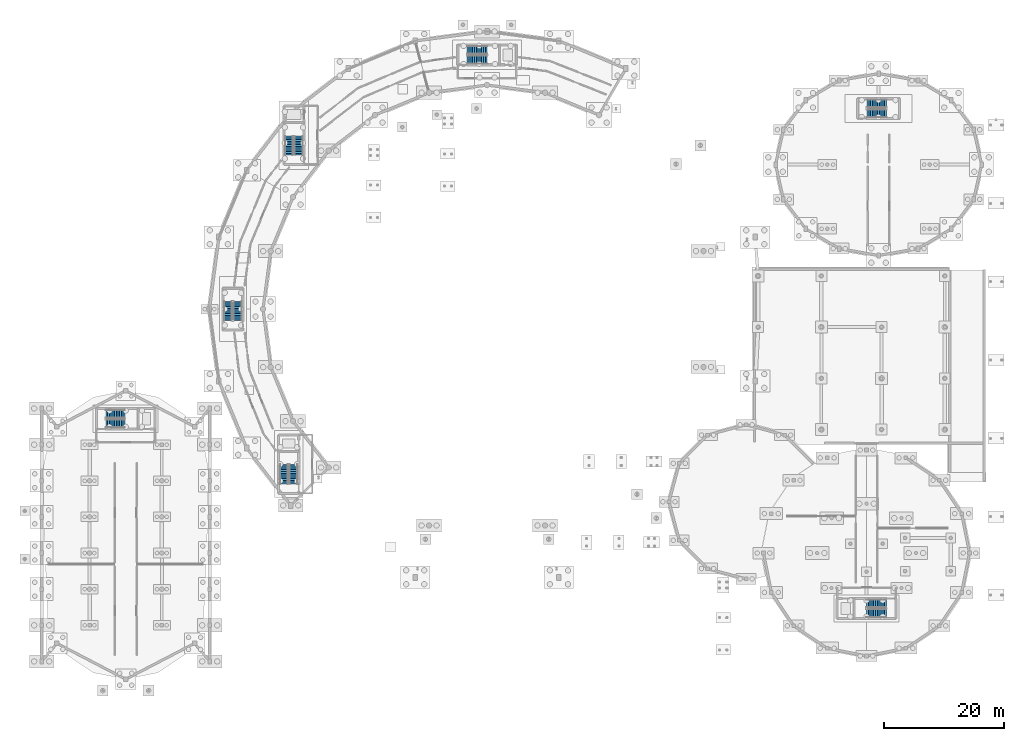
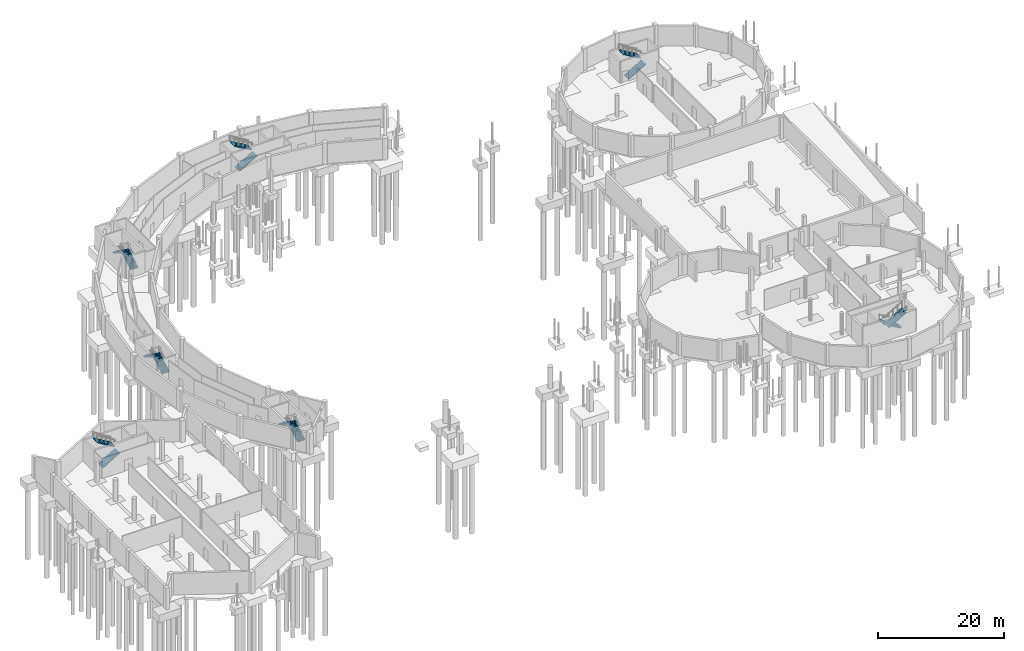
# One storey, part 37 of 43: 14 stair flights, 7 elements without a shape of their own.
"""IFC4 building model written with IfcOpenShell, lengths in metres."""

import ifcopenshell
import ifcopenshell.guid

model = None  # the IFC model being written
_history = None  # IfcOwnerHistory: only IFC2X3 demands one
_inside = {}  # id of a spatial element -> (the spatial element, [elements in it])
_under = {}  # id of a project, library or spatial element -> (it, [spatial elements below it])
_declared = {}  # id of a project -> (the project, [libraries it declares])
_typed = {}  # id of a type object -> (the type object, [elements of that type])
_made_of = {}  # id of a material, layer set ... -> (it, [elements and type objects made of it])


def new_model(schema):
    """Start an empty IFC model of exactly this schema.

    Asked for "IFC4X3", IfcOpenShell would pick the latest addendum, in which some entities
    have other attributes; the version numbers below select the first issue.
    IFC2X3 requires an IfcOwnerHistory on every rooted entity: one is made here for all.
    """
    global model, _history
    if schema == "IFC4X3":
        model = ifcopenshell.file(schema_version=(4, 3, 0, 0))
    else:
        model = ifcopenshell.file(schema=schema)
    _inside.clear()
    _under.clear()
    _declared.clear()
    _typed.clear()
    _made_of.clear()
    _history = None
    if model.schema == "IFC2X3":
        org = make("IfcOrganization", Name="unknown")
        user = make(
            "IfcPersonAndOrganization",
            ThePerson=make("IfcPerson", FamilyName="unknown"),
            TheOrganization=org,
        )
        app = make(
            "IfcApplication",
            ApplicationDeveloper=org,
            Version="unknown",
            ApplicationFullName="unknown",
            ApplicationIdentifier="unknown",
        )
        _history = make(
            "IfcOwnerHistory",
            OwningUser=user,
            OwningApplication=app,
            ChangeAction="ADDED",
            CreationDate=0,
        )
    return model


def make(cls, **values):
    """One entity of the class cls with the attributes given. An attribute that is None is left unset."""
    return model.create_entity(
        cls, **{name: value for name, value in values.items() if value is not None}
    )


def rooted(cls, **values):
    """An entity with a GlobalId (a new one), such as an element, a storey or a relation."""
    return make(cls, GlobalId=ifcopenshell.guid.new(), OwnerHistory=_history, **values)


def si_unit(unit_type, name, prefix=None):
    """IfcSIUnit, for example si_unit("LENGTHUNIT", "METRE", prefix="MILLI")."""
    return make("IfcSIUnit", UnitType=unit_type, Prefix=prefix, Name=name)


def assignment(units):
    """IfcUnitAssignment: the units of a project."""
    return None if units is None else make("IfcUnitAssignment", Units=units)


def point(xyz):
    """IfcCartesianPoint."""
    return None if xyz is None else make("IfcCartesianPoint", Coordinates=xyz)


def direction(xyz):
    """IfcDirection."""
    return None if xyz is None else make("IfcDirection", DirectionRatios=xyz)


def frame(location, z_axis=None, x_axis=None):
    """IfcAxis2Placement3D, a coordinate frame: its origin and axes. An axis left out is left unset."""
    return make(
        "IfcAxis2Placement3D",
        Location=point(location),
        Axis=direction(z_axis),
        RefDirection=direction(x_axis),
    )


def origin():
    """The frame at (0, 0, 0) with its axes left unset."""
    return frame((0.0, 0.0, 0.0))


def place(relative_to, where):
    """IfcLocalPlacement: puts the frame where relative to a parent placement (None: the world)."""
    return make(
        "IfcLocalPlacement", PlacementRelTo=relative_to, RelativePlacement=where
    )


def context(
    kind, dimensions, precision=None, world=None, true_north=None, identifier=None
):
    """IfcGeometricRepresentationContext, for example the 3D "Model" context."""
    return make(
        "IfcGeometricRepresentationContext",
        ContextIdentifier=identifier,
        ContextType=kind,
        CoordinateSpaceDimension=dimensions,
        Precision=precision,
        WorldCoordinateSystem=world,
        TrueNorth=true_north,
    )


def subcontext(parent, identifier, kind, view, scale=None):
    """IfcGeometricRepresentationSubContext, for example "Body" below "Model"."""
    return make(
        "IfcGeometricRepresentationSubContext",
        ContextIdentifier=identifier,
        ContextType=kind,
        ParentContext=parent,
        TargetScale=scale,
        TargetView=view,
    )


def project(units=None, contexts=None):
    """IfcProject with its units and contexts."""
    return rooted(
        "IfcProject",
        Name="project",
        RepresentationContexts=contexts,
        UnitsInContext=assignment(units),
    )


def spatial(cls, under=None, at=None, **own):
    """A site, building, storey or space (cls), placed at a placement, below another one or the project."""
    s = rooted(cls, ObjectPlacement=at, **own)
    if under is not None:
        _under.setdefault(under.id(), (under, []))[1].append(s)
    return s


def polyline(points):
    """IfcPolyline through the points."""
    return make("IfcPolyline", Points=[point(p) for p in points])


def outline(outer, holes=None, kind="AREA"):
    """IfcArbitraryClosedProfileDef: a profile drawn as a closed curve; with holes, ...WithVoids."""
    if holes is None:
        return make("IfcArbitraryClosedProfileDef", ProfileType=kind, OuterCurve=outer)
    return make(
        "IfcArbitraryProfileDefWithVoids",
        ProfileType=kind,
        OuterCurve=outer,
        InnerCurves=holes,
    )


def extrude(swept, where, along, depth):
    """IfcExtrudedAreaSolid: the profile swept, set in the frame where, extruded along a direction by depth."""
    return make(
        "IfcExtrudedAreaSolid",
        SweptArea=swept,
        Position=where,
        ExtrudedDirection=direction(along),
        Depth=depth,
    )


def shape(context_of_items, identifier, shape_type, items):
    """IfcShapeRepresentation: the items that make up one representation, for example the "Body"."""
    return make(
        "IfcShapeRepresentation",
        ContextOfItems=context_of_items,
        RepresentationIdentifier=identifier,
        RepresentationType=shape_type,
        Items=items,
    )


def material(Name=None, Category=None):
    """IfcMaterial."""
    return make("IfcMaterial", Name=Name, Category=Category)


def made_of(thing, what):
    """Note that an element or type object is made of a material, layer set ...; save() writes the relation."""
    if what is not None:
        _made_of.setdefault(what.id(), (what, []))[1].append(thing)
    return thing


def type_object(cls, material=None, **own):
    """A type object (cls), such as IfcWallType, which elements share."""
    return made_of(rooted(cls, **own), material)


def element(
    cls,
    number,
    at=None,
    inside=None,
    cuts=None,
    type_object=None,
    material=None,
    context=None,
    identifier="Body",
    shape_type=None,
    held_by="IfcProductDefinitionShape",
    body=None,
    shapes=None,
    **own,
):
    """One element of the class cls, such as IfcWall. Its Tag is "e" and its number.

    at: its placement. inside: the storey or other place that contains it. cuts: it is an
    opening in that element (IfcRelVoidsElement). A single representation is given by context,
    identifier, shape_type and body (its items); several are given by shapes. held_by: the class
    of the entity that holds the representations. save() writes the other relations.
    """
    e = rooted(cls, Tag="e%d" % number, ObjectPlacement=at, **own)
    if body is not None:
        shapes = [shape(context, identifier, shape_type, body)]
    if shapes is not None:
        e.Representation = make(held_by, Representations=shapes)
    if inside is not None:
        _inside.setdefault(inside.id(), (inside, []))[1].append(e)
    if cuts is not None:
        rooted(
            "IfcRelVoidsElement", RelatingBuildingElement=cuts, RelatedOpeningElement=e
        )
    if type_object is not None:
        _typed.setdefault(type_object.id(), (type_object, []))[1].append(e)
    return made_of(e, material)


def aggregate(whole, parts):
    """IfcRelAggregates: a whole, such as a stair, and the parts it consists of."""
    return rooted("IfcRelAggregates", RelatingObject=whole, RelatedObjects=parts)


def save(model, path):
    """Write the relations noted so far, then the file.

    IfcRelAggregates (storeys below a building ...), IfcRelContainedInSpatialStructure (elements
    in a storey), IfcRelDefinesByType, IfcRelAssociatesMaterial and IfcRelDeclares: one each for
    every whole, place, type object, material and project.
    """
    for whole, parts in _under.values():
        aggregate(whole, parts)
    for where, things in _inside.values():
        rooted(
            "IfcRelContainedInSpatialStructure",
            RelatedElements=things,
            RelatingStructure=where,
        )
    for kind, things in _typed.values():
        rooted("IfcRelDefinesByType", RelatedObjects=things, RelatingType=kind)
    for what, things in _made_of.values():
        rooted("IfcRelAssociatesMaterial", RelatedObjects=things, RelatingMaterial=what)
    for by, libraries in _declared.values():
        rooted("IfcRelDeclares", RelatingContext=by, RelatedDefinitions=libraries)
    model.write(path)


model = new_model("IFC4")

# Units and contexts
model_context = context("Model", 3, precision=1e-05, world=origin(), true_north=direction((0.0, 1.0)))
body_context = subcontext(model_context, "Body", "Model", "MODEL_VIEW")
ifc_project = project(units=[si_unit("LENGTHUNIT", "METRE"), si_unit("AREAUNIT", "SQUARE_METRE"), si_unit("VOLUMEUNIT", "CUBIC_METRE"), si_unit("PLANEANGLEUNIT", "RADIAN"), si_unit("MASSUNIT", "GRAM", prefix="KILO")], contexts=[model_context])

# Site, building, storey
site_placement = place(None, origin())
site = spatial("IfcSite", under=ifc_project, at=site_placement, CompositionType="ELEMENT")
building_placement = place(site_placement, origin())
building = spatial("IfcBuilding", under=site, at=building_placement, Name="Vespera Passage Community Centre", CompositionType="ELEMENT")
storey_placement = place(building_placement, frame((0.0, 0.0, -4.199951171875)))
storey = spatial("IfcBuildingStorey", under=building, at=storey_placement, Name="B1", CompositionType="ELEMENT", Elevation=-4.199951171875)

# Stair, stair flights
ifc_material_1 = material(Name="Concrete f'c 35 MPa", Category="concrete")
stair_type_1 = type_object("IfcStairType", Name="ST-T01", PredefinedType="HALF_TURN_STAIR", material=ifc_material_1)
stair_1_placement = place(storey_placement, origin())
stair_1 = element("IfcStair", 1, at=stair_1_placement, inside=storey, type_object=stair_type_1, Name="B1 Core C1 Exit Stair ST03", PredefinedType="HALF_TURN_STAIR")
ifc_material_2 = material(Name="Concrete f'c 35 MPa", Category="concrete")
stair_flight_type_1 = type_object("IfcStairFlightType", Name="STF-T01", PredefinedType="STRAIGHT", material=ifc_material_2)
stair_flight_1_placement = place(storey_placement, frame((46.73291015625, 91.077880859375, 0.0), z_axis=(0.0, 0.0, 1.0), x_axis=(0.0, 1.0, 0.0)))
stair_flight_1 = element("IfcStairFlight", 2, at=stair_flight_1_placement, type_object=stair_flight_type_1, Name="ST03 flight 1", NumberOfRisers=12, NumberOfTreads=11, PredefinedType="STRAIGHT", RiserHeight=0.175, TreadLength=0.285, context=body_context, shape_type="SweptSolid", body=[
    extrude(outline(polyline([(0.0, 0.0), (0.0, 0.175048828125), (0.284912109375, 0.175048828125), (0.284912109375, 0.35009765625), (0.570068359375, 0.35009765625), (0.570068359375, 0.52490234375), (0.85498046875, 0.52490234375), (0.85498046875, 0.699951171875), (1.139892578125, 0.699951171875), (1.139892578125, 0.875), (1.425048828125, 0.875), (1.425048828125, 1.050048828125), (1.7099609375, 1.050048828125), (1.7099609375, 1.22509765625), (1.9951171875, 1.22509765625), (1.9951171875, 1.39990234375), (2.280029296875, 1.39990234375), (2.280029296875, 1.574951171875), (2.56494140625, 1.574951171875), (2.56494140625, 1.75), (2.85009765625, 1.75), (2.85009765625, 1.925048828125), (3.135009765625, 1.925048828125), (3.135009765625, 2.10009765625), (3.135009765625, 1.7490234375), (0.286376953125, 0.0), (0.0, 0.0)])), frame((0.0, 0.699951171875, 0.0), z_axis=(0.0, -1.0, 0.0), x_axis=(1.0, 0.0, 0.0)), (0.0, 0.0, 1.0), 1.39990234375),
])
stair_flight_2_placement = place(storey_placement, frame((45.133056640625, 94.212890625, 2.099853515625), z_axis=(0.0, 0.0, 1.0), x_axis=(0.0, -1.0, 0.0)))
stair_flight_2 = element("IfcStairFlight", 3, at=stair_flight_2_placement, type_object=stair_flight_type_1, Name="ST03 flight 2", NumberOfRisers=12, NumberOfTreads=11, PredefinedType="STRAIGHT", RiserHeight=0.175, TreadLength=0.285, context=body_context, shape_type="SweptSolid", body=[
    extrude(outline(polyline([(0.0, 0.0), (0.0, 0.175048828125), (0.284912109375, 0.175048828125), (0.284912109375, 0.35009765625), (0.570068359375, 0.35009765625), (0.570068359375, 0.52490234375), (0.85498046875, 0.52490234375), (0.85498046875, 0.699951171875), (1.139892578125, 0.699951171875), (1.139892578125, 0.875), (1.425048828125, 0.875), (1.425048828125, 1.050048828125), (1.7099609375, 1.050048828125), (1.7099609375, 1.22509765625), (1.9951171875, 1.22509765625), (1.9951171875, 1.39990234375), (2.280029296875, 1.39990234375), (2.280029296875, 1.574951171875), (2.56494140625, 1.574951171875), (2.56494140625, 1.75), (2.85009765625, 1.75), (2.85009765625, 1.925048828125), (3.135009765625, 1.925048828125), (3.135009765625, 2.10009765625), (3.135009765625, 1.7490234375), (0.286376953125, 0.0), (0.0, 0.0)])), frame((0.0, 0.699951171875, 0.0), z_axis=(0.0, -1.0, 0.0), x_axis=(1.0, 0.0, 0.0)), (0.0, 0.0, 1.0), 1.39990234375),
])
aggregate(stair_1, [stair_flight_1, stair_flight_2])

ifc_material_3 = material(Name="Concrete f'c 35 MPa", Category="concrete")
stair_type_2 = type_object("IfcStairType", Name="ST-T04", PredefinedType="HALF_TURN_STAIR", material=ifc_material_3)
stair_2_placement = place(storey_placement, origin())
stair_2 = element("IfcStair", 4, at=stair_2_placement, inside=storey, type_object=stair_type_2, Name="B1 Core C2 Exit Stair ST04", PredefinedType="HALF_TURN_STAIR")
ifc_material_4 = material(Name="Concrete f'c 35 MPa", Category="concrete")
stair_flight_type_2 = type_object("IfcStairFlightType", Name="STF-T04", PredefinedType="STRAIGHT", material=ifc_material_4)
stair_flight_3_placement = place(storey_placement, frame((36.60009765625, 63.574951171875, 0.0), z_axis=(0.0, 0.0, 1.0), x_axis=(0.0, 1.0, 0.0)))
stair_flight_3 = element("IfcStairFlight", 5, at=stair_flight_3_placement, type_object=stair_flight_type_2, Name="ST04 flight 1", NumberOfRisers=12, NumberOfTreads=11, PredefinedType="STRAIGHT", RiserHeight=0.175, TreadLength=0.29, context=body_context, shape_type="SweptSolid", body=[
    extrude(outline(polyline([(0.0, 0.0), (0.0, 0.175048828125), (0.2900390625, 0.175048828125), (0.2900390625, 0.35009765625), (0.580078125, 0.35009765625), (0.580078125, 0.52490234375), (0.8701171875, 0.52490234375), (0.8701171875, 0.699951171875), (1.159912109375, 0.699951171875), (1.159912109375, 0.875), (1.449951171875, 0.875), (1.449951171875, 1.050048828125), (1.739990234375, 1.050048828125), (1.739990234375, 1.22509765625), (2.030029296875, 1.22509765625), (2.030029296875, 1.39990234375), (2.320068359375, 1.39990234375), (2.320068359375, 1.574951171875), (2.610107421875, 1.574951171875), (2.610107421875, 1.75), (2.89990234375, 1.75), (2.89990234375, 1.925048828125), (3.18994140625, 1.925048828125), (3.18994140625, 2.10009765625), (3.18994140625, 1.75), (0.2900390625, 0.0), (0.0, 0.0)])), frame((0.0, 0.699951171875, 0.0), z_axis=(0.0, -1.0, 0.0), x_axis=(1.0, 0.0, 0.0)), (0.0, 0.0, 1.0), 1.39990234375),
])
stair_flight_4_placement = place(storey_placement, frame((35.0, 66.764892578125, 2.099853515625), z_axis=(0.0, 0.0, 1.0), x_axis=(0.0, -1.0, 0.0)))
stair_flight_4 = element("IfcStairFlight", 6, at=stair_flight_4_placement, type_object=stair_flight_type_2, Name="ST04 flight 2", NumberOfRisers=12, NumberOfTreads=11, PredefinedType="STRAIGHT", RiserHeight=0.175, TreadLength=0.29, context=body_context, shape_type="SweptSolid", body=[
    extrude(outline(polyline([(0.0, 0.0), (0.0, 0.175048828125), (0.2900390625, 0.175048828125), (0.2900390625, 0.35009765625), (0.580078125, 0.35009765625), (0.580078125, 0.52490234375), (0.8701171875, 0.52490234375), (0.8701171875, 0.699951171875), (1.159912109375, 0.699951171875), (1.159912109375, 0.875), (1.449951171875, 0.875), (1.449951171875, 1.050048828125), (1.739990234375, 1.050048828125), (1.739990234375, 1.22509765625), (2.030029296875, 1.22509765625), (2.030029296875, 1.39990234375), (2.320068359375, 1.39990234375), (2.320068359375, 1.574951171875), (2.610107421875, 1.574951171875), (2.610107421875, 1.75), (2.89990234375, 1.75), (2.89990234375, 1.925048828125), (3.18994140625, 1.925048828125), (3.18994140625, 2.10009765625), (3.18994140625, 1.75), (0.2900390625, 0.0), (0.0, 0.0)])), frame((0.0, 0.699951171875, 0.0), z_axis=(0.0, -1.0, 0.0), x_axis=(1.0, 0.0, 0.0)), (0.0, 0.0, 1.0), 1.39990234375),
])
aggregate(stair_2, [stair_flight_3, stair_flight_4])

ifc_material_5 = material(Name="Concrete f'c 35 MPa", Category="concrete")
stair_type_3 = type_object("IfcStairType", Name="ST-T07", PredefinedType="HALF_TURN_STAIR", material=ifc_material_5)
stair_3_placement = place(storey_placement, origin())
stair_3 = element("IfcStair", 7, at=stair_3_placement, inside=storey, type_object=stair_type_3, Name="B1 Core C3 Exit Stair ST05", PredefinedType="HALF_TURN_STAIR")
ifc_material_6 = material(Name="Concrete f'c 35 MPa", Category="concrete")
stair_flight_type_3 = type_object("IfcStairFlightType", Name="STF-T07", PredefinedType="STRAIGHT", material=ifc_material_6)
stair_flight_5_placement = place(storey_placement, frame((45.861083984375, 36.469970703125, 0.0), z_axis=(0.0, 0.0, 1.0), x_axis=(0.0, 1.0, 0.0)))
stair_flight_5 = element("IfcStairFlight", 8, at=stair_flight_5_placement, type_object=stair_flight_type_3, Name="ST05 flight 1", NumberOfRisers=12, NumberOfTreads=11, PredefinedType="STRAIGHT", RiserHeight=0.175, TreadLength=0.295, context=body_context, shape_type="SweptSolid", body=[
    extrude(outline(polyline([(0.0, 0.0), (0.0, 0.175048828125), (0.294921875, 0.175048828125), (0.294921875, 0.35009765625), (0.590087890625, 0.35009765625), (0.590087890625, 0.52490234375), (0.885009765625, 0.52490234375), (0.885009765625, 0.699951171875), (1.179931640625, 0.699951171875), (1.179931640625, 0.875), (1.47509765625, 0.875), (1.47509765625, 1.050048828125), (1.77001953125, 1.050048828125), (1.77001953125, 1.22509765625), (2.06494140625, 1.22509765625), (2.06494140625, 1.39990234375), (2.360107421875, 1.39990234375), (2.360107421875, 1.574951171875), (2.655029296875, 1.574951171875), (2.655029296875, 1.75), (2.949951171875, 1.75), (2.949951171875, 1.925048828125), (3.2451171875, 1.925048828125), (3.2451171875, 2.10009765625), (3.2451171875, 1.750732421875), (0.293701171875, 0.0), (0.0, 0.0)])), frame((0.0, 0.699951171875, 0.0), z_axis=(0.0, -1.0, 0.0), x_axis=(1.0, 0.0, 0.0)), (0.0, 0.0, 1.0), 1.39990234375),
])
stair_flight_6_placement = place(storey_placement, frame((44.260986328125, 39.715087890625, 2.099853515625), z_axis=(0.0, 0.0, 1.0), x_axis=(0.0, -1.0, 0.0)))
stair_flight_6 = element("IfcStairFlight", 9, at=stair_flight_6_placement, type_object=stair_flight_type_3, Name="ST05 flight 2", NumberOfRisers=12, NumberOfTreads=11, PredefinedType="STRAIGHT", RiserHeight=0.175, TreadLength=0.295, context=body_context, shape_type="SweptSolid", body=[
    extrude(outline(polyline([(0.0, 0.0), (0.0, 0.175048828125), (0.294921875, 0.175048828125), (0.294921875, 0.35009765625), (0.590087890625, 0.35009765625), (0.590087890625, 0.52490234375), (0.885009765625, 0.52490234375), (0.885009765625, 0.699951171875), (1.179931640625, 0.699951171875), (1.179931640625, 0.875), (1.47509765625, 0.875), (1.47509765625, 1.050048828125), (1.77001953125, 1.050048828125), (1.77001953125, 1.22509765625), (2.06494140625, 1.22509765625), (2.06494140625, 1.39990234375), (2.360107421875, 1.39990234375), (2.360107421875, 1.574951171875), (2.655029296875, 1.574951171875), (2.655029296875, 1.75), (2.949951171875, 1.75), (2.949951171875, 1.925048828125), (3.2451171875, 1.925048828125), (3.2451171875, 2.10009765625), (3.2451171875, 1.750732421875), (0.293701171875, 0.0), (0.0, 0.0)])), frame((0.0, 0.699951171875, 0.0), z_axis=(0.0, -1.0, 0.0), x_axis=(1.0, 0.0, 0.0)), (0.0, 0.0, 1.0), 1.39990234375),
])
aggregate(stair_3, [stair_flight_5, stair_flight_6])

stair_4_placement = place(storey_placement, origin())
stair_4 = element("IfcStair", 10, at=stair_4_placement, inside=storey, type_object=stair_type_3, Name="B1 Core C6 Exit Stair ST07", PredefinedType="HALF_TURN_STAIR")
stair_flight_7_placement = place(storey_placement, frame((141.074951171875, 98.0, 0.0), z_axis=(0.0, 0.0, 1.0), x_axis=(1.0, 0.0, 0.0)))
stair_flight_7 = element("IfcStairFlight", 11, at=stair_flight_7_placement, type_object=stair_flight_type_3, Name="ST07 flight 1", NumberOfRisers=12, NumberOfTreads=11, PredefinedType="STRAIGHT", RiserHeight=0.175, TreadLength=0.295, context=body_context, shape_type="SweptSolid", body=[
    extrude(outline(polyline([(0.0, 0.0), (0.0, 0.175048828125), (0.294921875, 0.175048828125), (0.294921875, 0.35009765625), (0.590087890625, 0.35009765625), (0.590087890625, 0.52490234375), (0.885009765625, 0.52490234375), (0.885009765625, 0.699951171875), (1.179931640625, 0.699951171875), (1.179931640625, 0.875), (1.47509765625, 0.875), (1.47509765625, 1.050048828125), (1.77001953125, 1.050048828125), (1.77001953125, 1.22509765625), (2.06494140625, 1.22509765625), (2.06494140625, 1.39990234375), (2.360107421875, 1.39990234375), (2.360107421875, 1.574951171875), (2.655029296875, 1.574951171875), (2.655029296875, 1.75), (2.949951171875, 1.75), (2.949951171875, 1.925048828125), (3.2451171875, 1.925048828125), (3.2451171875, 2.10009765625), (3.2451171875, 1.750732421875), (0.293701171875, 0.0), (0.0, 0.0)])), frame((0.0, 0.699951171875, 0.0), z_axis=(0.0, -1.0, 0.0), x_axis=(1.0, 0.0, 0.0)), (0.0, 0.0, 1.0), 1.39990234375),
])
stair_flight_8_placement = place(storey_placement, frame((144.320068359375, 99.60009765625, 2.099853515625), z_axis=(0.0, 0.0, 1.0), x_axis=(-1.0, 0.0, 0.0)))
stair_flight_8 = element("IfcStairFlight", 12, at=stair_flight_8_placement, type_object=stair_flight_type_3, Name="ST07 flight 2", NumberOfRisers=12, NumberOfTreads=11, PredefinedType="STRAIGHT", RiserHeight=0.175, TreadLength=0.295, context=body_context, shape_type="SweptSolid", body=[
    extrude(outline(polyline([(0.0, 0.0), (0.0, 0.175048828125), (0.294921875, 0.175048828125), (0.294921875, 0.35009765625), (0.590087890625, 0.35009765625), (0.590087890625, 0.52490234375), (0.885009765625, 0.52490234375), (0.885009765625, 0.699951171875), (1.179931640625, 0.699951171875), (1.179931640625, 0.875), (1.47509765625, 0.875), (1.47509765625, 1.050048828125), (1.77001953125, 1.050048828125), (1.77001953125, 1.22509765625), (2.06494140625, 1.22509765625), (2.06494140625, 1.39990234375), (2.360107421875, 1.39990234375), (2.360107421875, 1.574951171875), (2.655029296875, 1.574951171875), (2.655029296875, 1.75), (2.949951171875, 1.75), (2.949951171875, 1.925048828125), (3.2451171875, 1.925048828125), (3.2451171875, 2.10009765625), (3.2451171875, 1.750732421875), (0.293701171875, 0.0), (0.0, 0.0)])), frame((0.0, 0.699951171875, 0.0), z_axis=(0.0, -1.0, 0.0), x_axis=(1.0, 0.0, 0.0)), (0.0, 0.0, 1.0), 1.39990234375),
])
aggregate(stair_4, [stair_flight_7, stair_flight_8])

ifc_material_7 = material(Name="Concrete f'c 35 MPa", Category="concrete")
stair_type_4 = type_object("IfcStairType", Name="ST-T10", PredefinedType="HALF_TURN_STAIR", material=ifc_material_7)
stair_5_placement = place(storey_placement, origin())
stair_5 = element("IfcStair", 13, at=stair_5_placement, inside=storey, type_object=stair_type_4, Name="B1 Core C4 Exit Stair ST06", PredefinedType="HALF_TURN_STAIR")
ifc_material_8 = material(Name="Concrete f'c 35 MPa", Category="concrete")
stair_flight_type_4 = type_object("IfcStairFlightType", Name="STF-T10", PredefinedType="STRAIGHT", material=ifc_material_8)
stair_flight_9_placement = place(storey_placement, frame((74.705078125, 106.89990234375, 0.0), z_axis=(0.0, 0.0, 1.0), x_axis=(1.0, 0.0, 0.0)))
stair_flight_9 = element("IfcStairFlight", 14, at=stair_flight_9_placement, type_object=stair_flight_type_4, Name="ST06 flight 1", NumberOfRisers=12, NumberOfTreads=11, PredefinedType="STRAIGHT", RiserHeight=0.175, TreadLength=0.3, context=body_context, shape_type="SweptSolid", body=[
    extrude(outline(polyline([(0.0, 0.0), (0.0, 0.175048828125), (0.300048828125, 0.175048828125), (0.300048828125, 0.35009765625), (0.60009765625, 0.35009765625), (0.60009765625, 0.52490234375), (0.89990234375, 0.52490234375), (0.89990234375, 0.699951171875), (1.199951171875, 0.699951171875), (1.199951171875, 0.875), (1.5, 0.875), (1.5, 1.050048828125), (1.800048828125, 1.050048828125), (1.800048828125, 1.22509765625), (2.10009765625, 1.22509765625), (2.10009765625, 1.39990234375), (2.39990234375, 1.39990234375), (2.39990234375, 1.574951171875), (2.699951171875, 1.574951171875), (2.699951171875, 1.75), (3.0, 1.75), (3.0, 1.925048828125), (3.300048828125, 1.925048828125), (3.300048828125, 2.10009765625), (3.300048828125, 1.75146484375), (0.297607421875, 0.0), (0.0, 0.0)])), frame((0.0, 0.699951171875, 0.0), z_axis=(0.0, -1.0, 0.0), x_axis=(1.0, 0.0, 0.0)), (0.0, 0.0, 1.0), 1.39990234375),
])
stair_flight_10_placement = place(storey_placement, frame((78.0048828125, 108.5, 2.099853515625), z_axis=(0.0, 0.0, 1.0), x_axis=(-1.0, 0.0, 0.0)))
stair_flight_10 = element("IfcStairFlight", 15, at=stair_flight_10_placement, type_object=stair_flight_type_4, Name="ST06 flight 2", NumberOfRisers=12, NumberOfTreads=11, PredefinedType="STRAIGHT", RiserHeight=0.175, TreadLength=0.3, context=body_context, shape_type="SweptSolid", body=[
    extrude(outline(polyline([(0.0, 0.0), (0.0, 0.175048828125), (0.300048828125, 0.175048828125), (0.300048828125, 0.35009765625), (0.60009765625, 0.35009765625), (0.60009765625, 0.52490234375), (0.89990234375, 0.52490234375), (0.89990234375, 0.699951171875), (1.199951171875, 0.699951171875), (1.199951171875, 0.875), (1.5, 0.875), (1.5, 1.050048828125), (1.800048828125, 1.050048828125), (1.800048828125, 1.22509765625), (2.10009765625, 1.22509765625), (2.10009765625, 1.39990234375), (2.39990234375, 1.39990234375), (2.39990234375, 1.574951171875), (2.699951171875, 1.574951171875), (2.699951171875, 1.75), (3.0, 1.75), (3.0, 1.925048828125), (3.300048828125, 1.925048828125), (3.300048828125, 2.10009765625), (3.300048828125, 1.75146484375), (0.297607421875, 0.0), (0.0, 0.0)])), frame((0.0, 0.699951171875, 0.0), z_axis=(0.0, -1.0, 0.0), x_axis=(1.0, 0.0, 0.0)), (0.0, 0.0, 1.0), 1.39990234375),
])
aggregate(stair_5, [stair_flight_9, stair_flight_10])

stair_6_placement = place(storey_placement, origin())
stair_6 = element("IfcStair", 16, at=stair_6_placement, inside=storey, type_object=stair_type_4, Name="B1 Core C7 Exit Stair ST08", PredefinedType="HALF_TURN_STAIR")
stair_flight_11_placement = place(storey_placement, frame((144.294921875, 16.60009765625, 0.0), z_axis=(0.0, 0.0, 1.0), x_axis=(-1.0, 0.0, 0.0)))
stair_flight_11 = element("IfcStairFlight", 17, at=stair_flight_11_placement, type_object=stair_flight_type_4, Name="ST08 flight 1", NumberOfRisers=12, NumberOfTreads=11, PredefinedType="STRAIGHT", RiserHeight=0.175, TreadLength=0.3, context=body_context, shape_type="SweptSolid", body=[
    extrude(outline(polyline([(0.0, 0.0), (0.0, 0.175048828125), (0.300048828125, 0.175048828125), (0.300048828125, 0.35009765625), (0.60009765625, 0.35009765625), (0.60009765625, 0.52490234375), (0.89990234375, 0.52490234375), (0.89990234375, 0.699951171875), (1.199951171875, 0.699951171875), (1.199951171875, 0.875), (1.5, 0.875), (1.5, 1.050048828125), (1.800048828125, 1.050048828125), (1.800048828125, 1.22509765625), (2.10009765625, 1.22509765625), (2.10009765625, 1.39990234375), (2.39990234375, 1.39990234375), (2.39990234375, 1.574951171875), (2.699951171875, 1.574951171875), (2.699951171875, 1.75), (3.0, 1.75), (3.0, 1.925048828125), (3.300048828125, 1.925048828125), (3.300048828125, 2.10009765625), (3.300048828125, 1.75146484375), (0.297607421875, 0.0), (0.0, 0.0)])), frame((0.0, 0.699951171875, 0.0), z_axis=(0.0, -1.0, 0.0), x_axis=(1.0, 0.0, 0.0)), (0.0, 0.0, 1.0), 1.39990234375),
])
stair_flight_12_placement = place(storey_placement, frame((140.9951171875, 15.0, 2.099853515625), z_axis=(0.0, 0.0, 1.0), x_axis=(1.0, 0.0, 0.0)))
stair_flight_12 = element("IfcStairFlight", 18, at=stair_flight_12_placement, type_object=stair_flight_type_4, Name="ST08 flight 2", NumberOfRisers=12, NumberOfTreads=11, PredefinedType="STRAIGHT", RiserHeight=0.175, TreadLength=0.3, context=body_context, shape_type="SweptSolid", body=[
    extrude(outline(polyline([(0.0, 0.0), (0.0, 0.175048828125), (0.300048828125, 0.175048828125), (0.300048828125, 0.35009765625), (0.60009765625, 0.35009765625), (0.60009765625, 0.52490234375), (0.89990234375, 0.52490234375), (0.89990234375, 0.699951171875), (1.199951171875, 0.699951171875), (1.199951171875, 0.875), (1.5, 0.875), (1.5, 1.050048828125), (1.800048828125, 1.050048828125), (1.800048828125, 1.22509765625), (2.10009765625, 1.22509765625), (2.10009765625, 1.39990234375), (2.39990234375, 1.39990234375), (2.39990234375, 1.574951171875), (2.699951171875, 1.574951171875), (2.699951171875, 1.75), (3.0, 1.75), (3.0, 1.925048828125), (3.300048828125, 1.925048828125), (3.300048828125, 2.10009765625), (3.300048828125, 1.75146484375), (0.297607421875, 0.0), (0.0, 0.0)])), frame((0.0, 0.699951171875, 0.0), z_axis=(0.0, -1.0, 0.0), x_axis=(1.0, 0.0, 0.0)), (0.0, 0.0, 1.0), 1.39990234375),
])
aggregate(stair_6, [stair_flight_11, stair_flight_12])

ifc_material_9 = material(Name="Concrete f'c 35 MPa", Category="concrete")
stair_type_5 = type_object("IfcStairType", Name="ST-T13", PredefinedType="HALF_TURN_STAIR", material=ifc_material_9)
stair_7_placement = place(storey_placement, origin())
stair_7 = element("IfcStair", 19, at=stair_7_placement, inside=storey, type_object=stair_type_5, Name="B1 Core C5 Exit Stair ST01", PredefinedType="HALF_TURN_STAIR")
ifc_material_10 = material(Name="Concrete f'c 35 MPa", Category="concrete")
stair_flight_type_5 = type_object("IfcStairFlightType", Name="STF-T13", PredefinedType="STRAIGHT", material=ifc_material_10)
stair_flight_13_placement = place(storey_placement, frame((14.72509765625, 46.489990234375, 0.0), z_axis=(0.0, 0.0, 1.0), x_axis=(1.0, 0.0, 0.0)))
stair_flight_13 = element("IfcStairFlight", 20, at=stair_flight_13_placement, type_object=stair_flight_type_5, Name="ST01 flight 1", NumberOfRisers=12, NumberOfTreads=11, PredefinedType="STRAIGHT", RiserHeight=0.175, TreadLength=0.285, context=body_context, shape_type="SweptSolid", body=[
    extrude(outline(polyline([(0.0, 0.0), (0.0, 0.175048828125), (0.284912109375, 0.175048828125), (0.284912109375, 0.35009765625), (0.570068359375, 0.35009765625), (0.570068359375, 0.52490234375), (0.85498046875, 0.52490234375), (0.85498046875, 0.699951171875), (1.139892578125, 0.699951171875), (1.139892578125, 0.875), (1.425048828125, 0.875), (1.425048828125, 1.050048828125), (1.7099609375, 1.050048828125), (1.7099609375, 1.22509765625), (1.9951171875, 1.22509765625), (1.9951171875, 1.39990234375), (2.280029296875, 1.39990234375), (2.280029296875, 1.574951171875), (2.56494140625, 1.574951171875), (2.56494140625, 1.75), (2.85009765625, 1.75), (2.85009765625, 1.925048828125), (3.135009765625, 1.925048828125), (3.135009765625, 2.10009765625), (3.135009765625, 1.7490234375), (0.286376953125, 0.0), (0.0, 0.0)])), frame((0.0, 0.7099609375, 0.0), z_axis=(0.0, -1.0, 0.0), x_axis=(1.0, 0.0, 0.0)), (0.0, 0.0, 1.0), 1.419921875),
])
stair_flight_14_placement = place(storey_placement, frame((17.860107421875, 48.110107421875, 2.099853515625), z_axis=(0.0, 0.0, 1.0), x_axis=(-1.0, 0.0, 0.0)))
stair_flight_14 = element("IfcStairFlight", 21, at=stair_flight_14_placement, type_object=stair_flight_type_5, Name="ST01 flight 2", NumberOfRisers=12, NumberOfTreads=11, PredefinedType="STRAIGHT", RiserHeight=0.175, TreadLength=0.285, context=body_context, shape_type="SweptSolid", body=[
    extrude(outline(polyline([(0.0, 0.0), (0.0, 0.175048828125), (0.284912109375, 0.175048828125), (0.284912109375, 0.35009765625), (0.570068359375, 0.35009765625), (0.570068359375, 0.52490234375), (0.85498046875, 0.52490234375), (0.85498046875, 0.699951171875), (1.139892578125, 0.699951171875), (1.139892578125, 0.875), (1.425048828125, 0.875), (1.425048828125, 1.050048828125), (1.7099609375, 1.050048828125), (1.7099609375, 1.22509765625), (1.9951171875, 1.22509765625), (1.9951171875, 1.39990234375), (2.280029296875, 1.39990234375), (2.280029296875, 1.574951171875), (2.56494140625, 1.574951171875), (2.56494140625, 1.75), (2.85009765625, 1.75), (2.85009765625, 1.925048828125), (3.135009765625, 1.925048828125), (3.135009765625, 2.10009765625), (3.135009765625, 1.7490234375), (0.286376953125, 0.0), (0.0, 0.0)])), frame((0.0, 0.7099609375, 0.0), z_axis=(0.0, -1.0, 0.0), x_axis=(1.0, 0.0, 0.0)), (0.0, 0.0, 1.0), 1.419921875),
])
aggregate(stair_7, [stair_flight_13, stair_flight_14])

save(model, "model.ifc")
